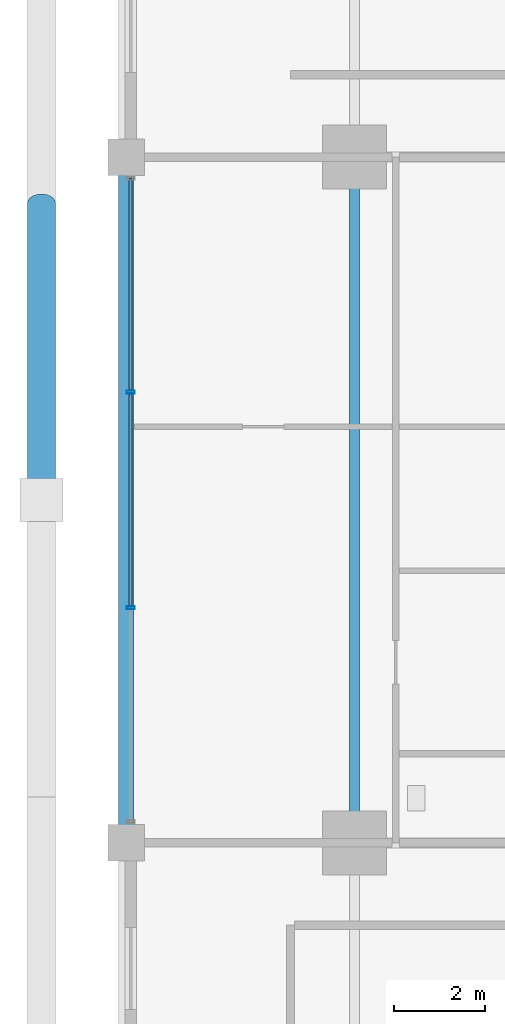
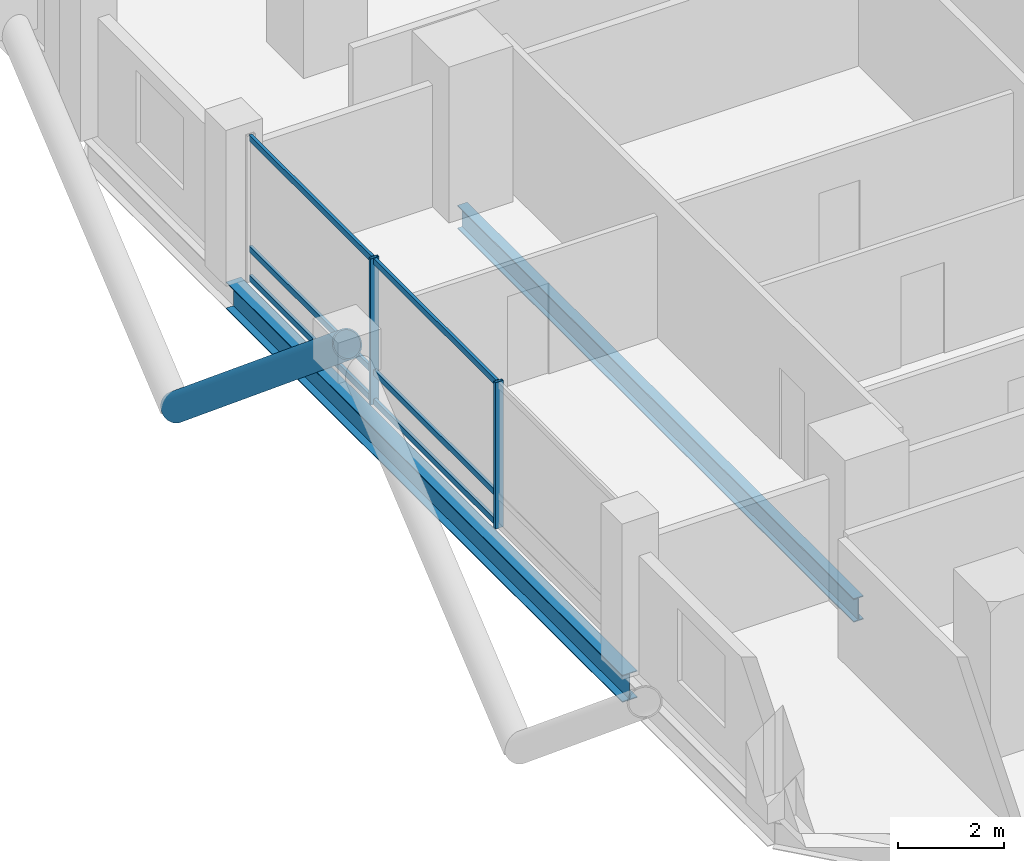
# One storey, part 6 of 23: 9 members, 2 beams, 1 element without a shape of its own.
"""IFC4 building model written with IfcOpenShell, lengths in metres."""

from ifc_helpers import new_model, si_unit, direction, frame, origin, origin_2d, place, context, subcontext, project, spatial, hollow_rectangle, hollow_circle, i_section, extrude, material, layer, layer_set, material_profile, profile_set, type_object, element, aggregate, save


model = new_model("IFC4")

# Units and contexts
model_context = context("Model", 3, precision=1e-05, world=origin(), true_north=direction((0.0, 1.0)))
body_context = subcontext(model_context, "Body", "Model", "MODEL_VIEW")
ifc_project = project(units=[si_unit("LENGTHUNIT", "METRE"), si_unit("AREAUNIT", "SQUARE_METRE"), si_unit("VOLUMEUNIT", "CUBIC_METRE"), si_unit("PLANEANGLEUNIT", "RADIAN"), si_unit("MASSUNIT", "GRAM", prefix="KILO")], contexts=[model_context])

# Site, building, storey
site_placement = place(None, origin())
site = spatial("IfcSite", under=ifc_project, at=site_placement, CompositionType="ELEMENT")
building_placement = place(site_placement, origin())
building = spatial("IfcBuilding", under=site, at=building_placement, Name="Barlavira Tower and Art Museum", CompositionType="ELEMENT")
storey_placement = place(building_placement, frame((0.0, 0.0, 68.39990234375)))
storey = spatial("IfcBuildingStorey", under=building, at=storey_placement, Name="L16", CompositionType="ELEMENT", Elevation=68.39990234375)

# Curtain wall, members
ifc_material_1 = material(Name="Low-iron coastal laminated glass", Category="glass")
ifc_layer = layer(ifc_material_1, 0.179931640625, Name="Low-iron coastal laminated glass")
ifc_layer_set = layer_set([ifc_layer], Name="Low-iron coastal laminated glass")
curtain_wall_type = type_object("IfcCurtainWallType", Name="Pale-Metal Unitised Curtain Wall Zone 1", PredefinedType="NOTDEFINED", material=ifc_layer_set)
curtain_wall_placement = place(storey_placement, origin())
curtain_wall = element("IfcCurtainWall", 1, at=curtain_wall_placement, inside=storey, type_object=curtain_wall_type, Name="L16 Curtain Wall CW1-L16-W-B3", PredefinedType="NOTDEFINED")
ifc_material_2 = material(Name="Pale anodised aluminium", Category="aluminium")
ifc_material_profile_1 = material_profile(ifc_material_2, hollow_rectangle(XDim=0.06494140625, YDim=0.179931640625, WallThickness=0.00390625, at=origin_2d()), Name="ALU-MULL 65x180x4")
ifc_profile_set_1 = profile_set([ifc_material_profile_1], Name="Pale anodised aluminium")
member_type_1 = type_object("IfcMemberType", Name="Curtain Wall Pale-Metal Mullion 65x180", PredefinedType="MULLION", material=ifc_profile_set_1)
member_1_placement = place(storey_placement, frame((-21.89990234375, 2.360107421875, 0.0), z_axis=(0.0, 0.0, 1.0), x_axis=(0.0, -1.0, 0.0)))
member_1 = element("IfcMember", 2, at=member_1_placement, type_object=member_type_1, Name="CW1-L16-W-B3 Mullion 1", PredefinedType="MULLION", context=body_context, shape_type="SweptSolid", body=[
    extrude(hollow_rectangle(XDim=0.06494140625, YDim=0.179931640625, WallThickness=0.00390625, at=origin_2d()), origin(), (0.0, 0.0, 1.0), 3.380126953125),
])
member_2_placement = place(storey_placement, frame((-21.89990234375, -2.360107421875, 0.0), z_axis=(0.0, 0.0, 1.0), x_axis=(0.0, -1.0, 0.0)))
member_2 = element("IfcMember", 3, at=member_2_placement, type_object=member_type_1, Name="CW1-L16-W-B3 Mullion 2", PredefinedType="MULLION", context=body_context, shape_type="SweptSolid", body=[
    extrude(hollow_rectangle(XDim=0.06494140625, YDim=0.179931640625, WallThickness=0.00390625, at=origin_2d()), origin(), (0.0, 0.0, 1.0), 3.380126953125),
])
ifc_material_profile_2 = material_profile(ifc_material_2, hollow_rectangle(XDim=0.06494140625, YDim=0.139892578125, WallThickness=0.00390625, at=origin_2d()), Name="ALU-TRAN 65x140x4")
ifc_profile_set_2 = profile_set([ifc_material_profile_2], Name="Pale anodised aluminium")
member_type_2 = type_object("IfcMemberType", Name="Curtain Wall Pale-Metal Transom 65x140", PredefinedType="USERDEFINED", material=ifc_profile_set_2)
member_3_placement = place(storey_placement, frame((-21.89990234375, 7.034912109375, 0.070068359375), z_axis=(0.0, -1.0, 0.0), x_axis=(1.0, 0.0, 0.0)))
member_3 = element("IfcMember", 4, at=member_3_placement, type_object=member_type_2, Name="CW1-L16-W-B3 Transom 0.1", ObjectType="TRANSOM", PredefinedType="USERDEFINED", context=body_context, shape_type="SweptSolid", body=[
    extrude(hollow_rectangle(XDim=0.06494140625, YDim=0.139892578125, WallThickness=0.00390625, at=origin_2d()), origin(), (0.0, 0.0, 1.0), 4.6298828125),
])
member_4_placement = place(storey_placement, frame((-21.89990234375, 7.034912109375, 0.744140625), z_axis=(0.0, -1.0, 0.0), x_axis=(1.0, 0.0, 0.0)))
member_4 = element("IfcMember", 5, at=member_4_placement, type_object=member_type_2, Name="CW1-L16-W-B3 Transom 0.2", ObjectType="TRANSOM", PredefinedType="USERDEFINED", context=body_context, shape_type="SweptSolid", body=[
    extrude(hollow_rectangle(XDim=0.06494140625, YDim=0.139892578125, WallThickness=0.00390625, at=origin_2d()), origin(), (0.0, 0.0, 1.0), 4.6298828125),
])
member_5_placement = place(storey_placement, frame((-21.89990234375, 7.034912109375, 3.31005859375), z_axis=(0.0, -1.0, 0.0), x_axis=(1.0, 0.0, 0.0)))
member_5 = element("IfcMember", 6, at=member_5_placement, type_object=member_type_2, Name="CW1-L16-W-B3 Transom 0.3", ObjectType="TRANSOM", PredefinedType="USERDEFINED", context=body_context, shape_type="SweptSolid", body=[
    extrude(hollow_rectangle(XDim=0.06494140625, YDim=0.139892578125, WallThickness=0.00390625, at=origin_2d()), origin(), (0.0, 0.0, 1.0), 4.6298828125),
])
member_6_placement = place(storey_placement, frame((-21.89990234375, 2.31494140625, 0.070068359375), z_axis=(0.0, -1.0, 0.0), x_axis=(1.0, 0.0, 0.0)))
member_6 = element("IfcMember", 7, at=member_6_placement, type_object=member_type_2, Name="CW1-L16-W-B3 Transom 1.1", ObjectType="TRANSOM", PredefinedType="USERDEFINED", context=body_context, shape_type="SweptSolid", body=[
    extrude(hollow_rectangle(XDim=0.06494140625, YDim=0.139892578125, WallThickness=0.00390625, at=origin_2d()), origin(), (0.0, 0.0, 1.0), 4.6298828125),
])
member_7_placement = place(storey_placement, frame((-21.89990234375, 2.31494140625, 0.744140625), z_axis=(0.0, -1.0, 0.0), x_axis=(1.0, 0.0, 0.0)))
member_7 = element("IfcMember", 8, at=member_7_placement, type_object=member_type_2, Name="CW1-L16-W-B3 Transom 1.2", ObjectType="TRANSOM", PredefinedType="USERDEFINED", context=body_context, shape_type="SweptSolid", body=[
    extrude(hollow_rectangle(XDim=0.06494140625, YDim=0.139892578125, WallThickness=0.00390625, at=origin_2d()), origin(), (0.0, 0.0, 1.0), 4.6298828125),
])
member_8_placement = place(storey_placement, frame((-21.89990234375, 2.31494140625, 3.31005859375), z_axis=(0.0, -1.0, 0.0), x_axis=(1.0, 0.0, 0.0)))
member_8 = element("IfcMember", 9, at=member_8_placement, type_object=member_type_2, Name="CW1-L16-W-B3 Transom 1.3", ObjectType="TRANSOM", PredefinedType="USERDEFINED", context=body_context, shape_type="SweptSolid", body=[
    extrude(hollow_rectangle(XDim=0.06494140625, YDim=0.139892578125, WallThickness=0.00390625, at=origin_2d()), origin(), (0.0, 0.0, 1.0), 4.6298828125),
])
aggregate(curtain_wall, [member_1, member_2, member_3, member_4, member_5, member_6, member_7, member_8])

# Member
ifc_material_3 = material(Name="Steel S355", Category="steel")
ifc_material_profile_3 = material_profile(ifc_material_3, hollow_circle(Radius=0.304931640625, WallThickness=0.028076171875, at=origin_2d()), Name="CHS 610.0x28.0")
ifc_profile_set_3 = profile_set([ifc_material_profile_3], Name="Steel S355")
member_type_3 = type_object("IfcMemberType", Name="Pale-Metal Exoskeleton Diagrid Tube CHS 610x28 Steel S355", PredefinedType="BRACE", material=ifc_profile_set_3)
member_9_placement = place(storey_placement, frame((-23.85009765625, 6.5, -1.919921875), z_axis=(0.0, -0.769196053329, 0.639012857104), x_axis=(1.0, 0.0, 0.0)))
element("IfcMember", 10, at=member_9_placement, inside=storey, type_object=member_type_3, Name="L16 Exoskeleton Diagrid Tube W", PredefinedType="BRACE", context=body_context, shape_type="SweptSolid", body=[
    extrude(hollow_circle(Radius=0.304931640625, WallThickness=0.028076171875, at=origin_2d()), origin(), (0.0, 0.0, 1.0), 8.450439453125),
])

# Beams
ifc_material_profile_4 = material_profile(ifc_material_3, i_section(OverallWidth=0.327880859375, OverallDepth=0.62890625, WebThickness=0.013916015625, FlangeThickness=0.021484375, at=origin_2d()), Name="W610x174.0")
ifc_profile_set_4 = profile_set([ifc_material_profile_4], Name="Steel S355")
beam_type_1 = type_object("IfcBeamType", Name="Perimeter Spandrel Edge Beam W610x174 Steel S355", PredefinedType="SPANDREL", material=ifc_profile_set_4)
beam_1_placement = place(storey_placement, frame((-22.0, -7.5, -0.534423828125), z_axis=(0.0, 1.0, 0.0), x_axis=(-1.0, 0.0, 0.0)))
element("IfcBeam", 11, at=beam_1_placement, inside=storey, type_object=beam_type_1, Name="L16 Spandrel 14", PredefinedType="SPANDREL", context=body_context, shape_type="SweptSolid", body=[
    extrude(i_section(OverallWidth=0.327880859375, OverallDepth=0.62890625, WebThickness=0.013916015625, FlangeThickness=0.021484375, at=origin_2d()), origin(), (0.0, 0.0, 1.0), 15.0),
])
ifc_material_profile_5 = material_profile(ifc_material_3, i_section(OverallWidth=0.214111328125, OverallDepth=0.549072265625, WebThickness=0.0146484375, FlangeThickness=0.023681640625, at=origin_2d()), Name="W530x138.0")
ifc_profile_set_5 = profile_set([ifc_material_profile_5], Name="Steel S355")
beam_type_2 = type_object("IfcBeamType", Name="Zone 1 Primary Floor Girder W530x138 Steel S355", PredefinedType="BEAM", material=ifc_profile_set_5)
beam_2_placement = place(storey_placement, frame((-17.0, -7.5, -0.494384765625), z_axis=(0.0, 1.0, 0.0), x_axis=(-1.0, 0.0, 0.0)))
element("IfcBeam", 12, at=beam_2_placement, inside=storey, type_object=beam_type_2, Name="L16 Girder M-W2", PredefinedType="BEAM", context=body_context, shape_type="SweptSolid", body=[
    extrude(i_section(OverallWidth=0.214111328125, OverallDepth=0.549072265625, WebThickness=0.0146484375, FlangeThickness=0.023681640625, at=origin_2d()), origin(), (0.0, 0.0, 1.0), 15.0),
])

save(model, "model.ifc")
